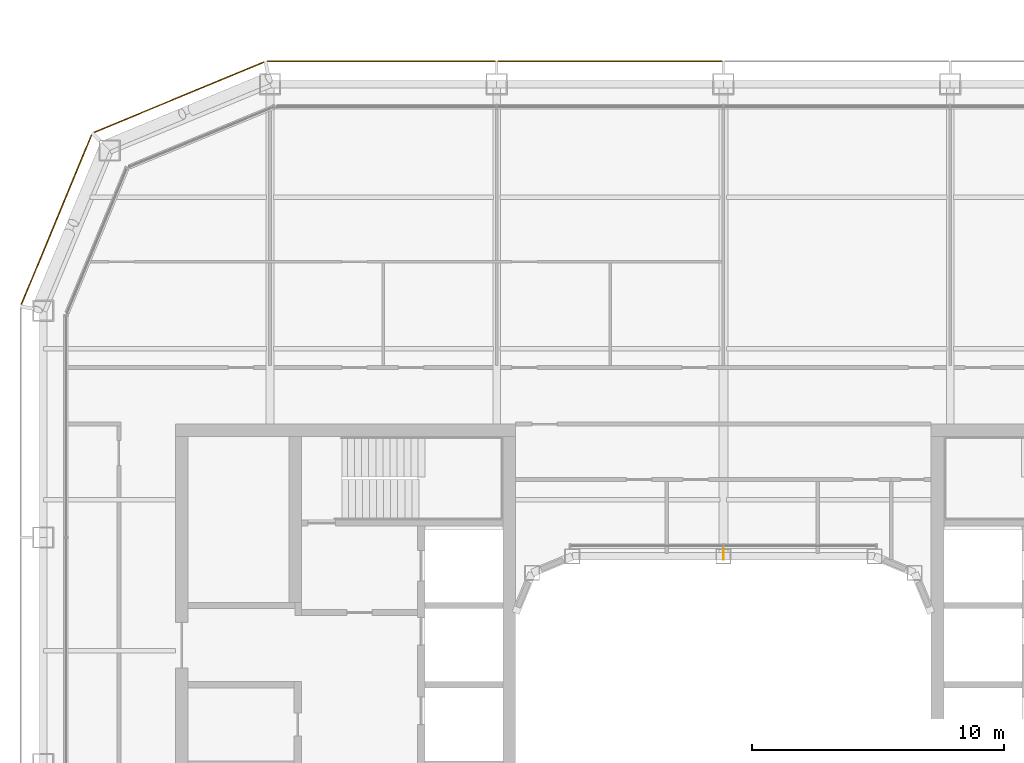
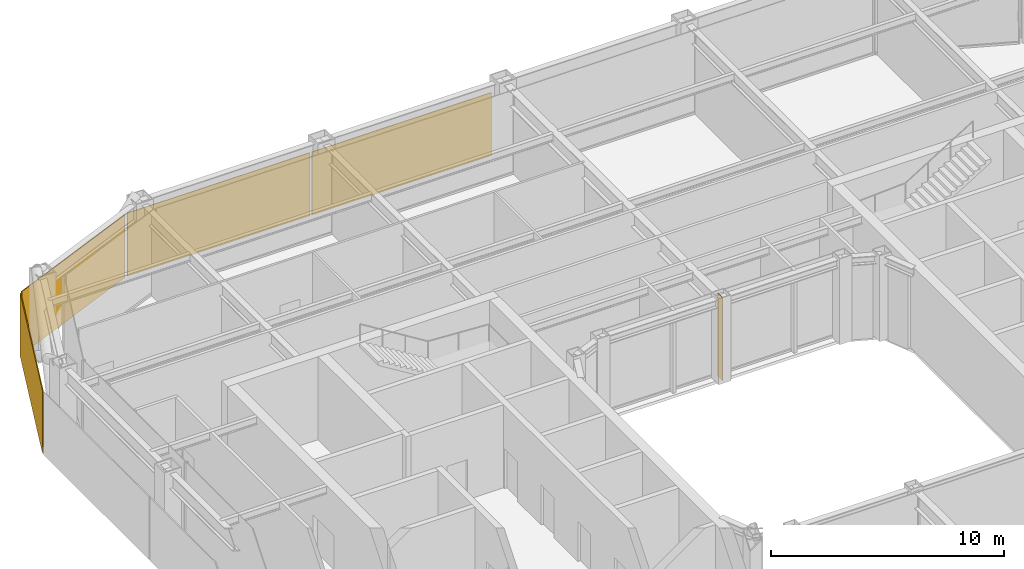
# One storey, part 21 of 23: 4 coverings, 1 shading device.
"""IFC4 building model written with IfcOpenShell, lengths in metres."""

import ifcopenshell
import ifcopenshell.guid

model = None  # the IFC model being written
_history = None  # IfcOwnerHistory: only IFC2X3 demands one
_inside = {}  # id of a spatial element -> (the spatial element, [elements in it])
_under = {}  # id of a project, library or spatial element -> (it, [spatial elements below it])
_declared = {}  # id of a project -> (the project, [libraries it declares])
_typed = {}  # id of a type object -> (the type object, [elements of that type])
_made_of = {}  # id of a material, layer set ... -> (it, [elements and type objects made of it])


def new_model(schema):
    """Start an empty IFC model of exactly this schema.

    Asked for "IFC4X3", IfcOpenShell would pick the latest addendum, in which some entities
    have other attributes; the version numbers below select the first issue.
    IFC2X3 requires an IfcOwnerHistory on every rooted entity: one is made here for all.
    """
    global model, _history
    if schema == "IFC4X3":
        model = ifcopenshell.file(schema_version=(4, 3, 0, 0))
    else:
        model = ifcopenshell.file(schema=schema)
    _inside.clear()
    _under.clear()
    _declared.clear()
    _typed.clear()
    _made_of.clear()
    _history = None
    if model.schema == "IFC2X3":
        org = make("IfcOrganization", Name="unknown")
        user = make(
            "IfcPersonAndOrganization",
            ThePerson=make("IfcPerson", FamilyName="unknown"),
            TheOrganization=org,
        )
        app = make(
            "IfcApplication",
            ApplicationDeveloper=org,
            Version="unknown",
            ApplicationFullName="unknown",
            ApplicationIdentifier="unknown",
        )
        _history = make(
            "IfcOwnerHistory",
            OwningUser=user,
            OwningApplication=app,
            ChangeAction="ADDED",
            CreationDate=0,
        )
    return model


def make(cls, **values):
    """One entity of the class cls with the attributes given. An attribute that is None is left unset."""
    return model.create_entity(
        cls, **{name: value for name, value in values.items() if value is not None}
    )


def rooted(cls, **values):
    """An entity with a GlobalId (a new one), such as an element, a storey or a relation."""
    return make(cls, GlobalId=ifcopenshell.guid.new(), OwnerHistory=_history, **values)


def si_unit(unit_type, name, prefix=None):
    """IfcSIUnit, for example si_unit("LENGTHUNIT", "METRE", prefix="MILLI")."""
    return make("IfcSIUnit", UnitType=unit_type, Prefix=prefix, Name=name)


def assignment(units):
    """IfcUnitAssignment: the units of a project."""
    return None if units is None else make("IfcUnitAssignment", Units=units)


def point(xyz):
    """IfcCartesianPoint."""
    return None if xyz is None else make("IfcCartesianPoint", Coordinates=xyz)


def direction(xyz):
    """IfcDirection."""
    return None if xyz is None else make("IfcDirection", DirectionRatios=xyz)


def frame(location, z_axis=None, x_axis=None):
    """IfcAxis2Placement3D, a coordinate frame: its origin and axes. An axis left out is left unset."""
    return make(
        "IfcAxis2Placement3D",
        Location=point(location),
        Axis=direction(z_axis),
        RefDirection=direction(x_axis),
    )


def frame_2d(location, x_axis=None):
    """IfcAxis2Placement2D, a coordinate frame in the plane: its origin and x axis."""
    return make(
        "IfcAxis2Placement2D", Location=point(location), RefDirection=direction(x_axis)
    )


def origin():
    """The frame at (0, 0, 0) with its axes left unset."""
    return frame((0.0, 0.0, 0.0))


def origin_2d():
    """The frame at (0, 0) in the plane with its x axis left unset."""
    return frame_2d((0.0, 0.0))


def place(relative_to, where):
    """IfcLocalPlacement: puts the frame where relative to a parent placement (None: the world)."""
    return make(
        "IfcLocalPlacement", PlacementRelTo=relative_to, RelativePlacement=where
    )


def context(
    kind, dimensions, precision=None, world=None, true_north=None, identifier=None
):
    """IfcGeometricRepresentationContext, for example the 3D "Model" context."""
    return make(
        "IfcGeometricRepresentationContext",
        ContextIdentifier=identifier,
        ContextType=kind,
        CoordinateSpaceDimension=dimensions,
        Precision=precision,
        WorldCoordinateSystem=world,
        TrueNorth=true_north,
    )


def subcontext(parent, identifier, kind, view, scale=None):
    """IfcGeometricRepresentationSubContext, for example "Body" below "Model"."""
    return make(
        "IfcGeometricRepresentationSubContext",
        ContextIdentifier=identifier,
        ContextType=kind,
        ParentContext=parent,
        TargetScale=scale,
        TargetView=view,
    )


def project(units=None, contexts=None):
    """IfcProject with its units and contexts."""
    return rooted(
        "IfcProject",
        Name="project",
        RepresentationContexts=contexts,
        UnitsInContext=assignment(units),
    )


def spatial(cls, under=None, at=None, **own):
    """A site, building, storey or space (cls), placed at a placement, below another one or the project."""
    s = rooted(cls, ObjectPlacement=at, **own)
    if under is not None:
        _under.setdefault(under.id(), (under, []))[1].append(s)
    return s


def profile(cls, at=None, kind="AREA", **sizes):
    """A parametric profile (cls). Its sizes go by their IFC names, for example OverallWidth=200.0."""
    return make(cls, ProfileType=kind, Position=at, **sizes)


def rectangle(**sizes):
    """IfcRectangleProfileDef."""
    return profile("IfcRectangleProfileDef", **sizes)


def extrude(swept, where, along, depth):
    """IfcExtrudedAreaSolid: the profile swept, set in the frame where, extruded along a direction by depth."""
    return make(
        "IfcExtrudedAreaSolid",
        SweptArea=swept,
        Position=where,
        ExtrudedDirection=direction(along),
        Depth=depth,
    )


def shape(context_of_items, identifier, shape_type, items):
    """IfcShapeRepresentation: the items that make up one representation, for example the "Body"."""
    return make(
        "IfcShapeRepresentation",
        ContextOfItems=context_of_items,
        RepresentationIdentifier=identifier,
        RepresentationType=shape_type,
        Items=items,
    )


def material(Name=None, Category=None):
    """IfcMaterial."""
    return make("IfcMaterial", Name=Name, Category=Category)


def layer(
    of_material, thickness, ventilated=None, Name=None, Category=None, Priority=None
):
    """IfcMaterialLayer: one layer of a wall or slab, of a material (None: an air gap)."""
    return make(
        "IfcMaterialLayer",
        Material=of_material,
        LayerThickness=thickness,
        IsVentilated=ventilated,
        Name=Name,
        Category=Category,
        Priority=Priority,
    )


def layer_set(layers, Name=None):
    """IfcMaterialLayerSet."""
    return make("IfcMaterialLayerSet", MaterialLayers=layers, LayerSetName=Name)


def made_of(thing, what):
    """Note that an element or type object is made of a material, layer set ...; save() writes the relation."""
    if what is not None:
        _made_of.setdefault(what.id(), (what, []))[1].append(thing)
    return thing


def type_object(cls, material=None, **own):
    """A type object (cls), such as IfcWallType, which elements share."""
    return made_of(rooted(cls, **own), material)


def element(
    cls,
    number,
    at=None,
    inside=None,
    cuts=None,
    type_object=None,
    material=None,
    context=None,
    identifier="Body",
    shape_type=None,
    held_by="IfcProductDefinitionShape",
    body=None,
    shapes=None,
    **own,
):
    """One element of the class cls, such as IfcWall. Its Tag is "e" and its number.

    at: its placement. inside: the storey or other place that contains it. cuts: it is an
    opening in that element (IfcRelVoidsElement). A single representation is given by context,
    identifier, shape_type and body (its items); several are given by shapes. held_by: the class
    of the entity that holds the representations. save() writes the other relations.
    """
    e = rooted(cls, Tag="e%d" % number, ObjectPlacement=at, **own)
    if body is not None:
        shapes = [shape(context, identifier, shape_type, body)]
    if shapes is not None:
        e.Representation = make(held_by, Representations=shapes)
    if inside is not None:
        _inside.setdefault(inside.id(), (inside, []))[1].append(e)
    if cuts is not None:
        rooted(
            "IfcRelVoidsElement", RelatingBuildingElement=cuts, RelatedOpeningElement=e
        )
    if type_object is not None:
        _typed.setdefault(type_object.id(), (type_object, []))[1].append(e)
    return made_of(e, material)


def aggregate(whole, parts):
    """IfcRelAggregates: a whole, such as a stair, and the parts it consists of."""
    return rooted("IfcRelAggregates", RelatingObject=whole, RelatedObjects=parts)


def save(model, path):
    """Write the relations noted so far, then the file.

    IfcRelAggregates (storeys below a building ...), IfcRelContainedInSpatialStructure (elements
    in a storey), IfcRelDefinesByType, IfcRelAssociatesMaterial and IfcRelDeclares: one each for
    every whole, place, type object, material and project.
    """
    for whole, parts in _under.values():
        aggregate(whole, parts)
    for where, things in _inside.values():
        rooted(
            "IfcRelContainedInSpatialStructure",
            RelatedElements=things,
            RelatingStructure=where,
        )
    for kind, things in _typed.values():
        rooted("IfcRelDefinesByType", RelatedObjects=things, RelatingType=kind)
    for what, things in _made_of.values():
        rooted("IfcRelAssociatesMaterial", RelatedObjects=things, RelatingMaterial=what)
    for by, libraries in _declared.values():
        rooted("IfcRelDeclares", RelatingContext=by, RelatedDefinitions=libraries)
    model.write(path)


model = new_model("IFC4")

# Units and contexts
model_context = context("Model", 3, precision=1e-05, world=origin(), true_north=direction((0.0, 1.0)))
body_context = subcontext(model_context, "Body", "Model", "MODEL_VIEW")
ifc_project = project(units=[si_unit("LENGTHUNIT", "METRE"), si_unit("AREAUNIT", "SQUARE_METRE"), si_unit("VOLUMEUNIT", "CUBIC_METRE"), si_unit("PLANEANGLEUNIT", "RADIAN"), si_unit("MASSUNIT", "GRAM", prefix="KILO")], contexts=[model_context])

# Site, building, storey
site_placement = place(None, origin())
site = spatial("IfcSite", under=ifc_project, at=site_placement, CompositionType="ELEMENT")
building_placement = place(site_placement, origin())
building = spatial("IfcBuilding", under=site, at=building_placement, Name="Siwar Civic Tower", CompositionType="ELEMENT")
storey_placement = place(building_placement, frame((0.0, 0.0, 224.199951171875)))
storey = spatial("IfcBuildingStorey", under=building, at=storey_placement, Name="L48", CompositionType="ELEMENT", Elevation=224.199951171875)

# Shading device
ifc_material_1 = material(Name="Aluminium 6063-T6", Category="aluminium")
ifc_layer_1 = layer(ifc_material_1, 0.02001953125)
ifc_layer_set_1 = layer_set([ifc_layer_1], Name="Aluminium 6063-T6")
shading_device_type = type_object("IfcShadingDeviceType", Name="ENV-FIN", PredefinedType="JALOUSIE", material=ifc_layer_set_1)
shading_device_placement = place(storey_placement, frame((0.0, 8.344970703125, 0.0), z_axis=(0.0, 0.0, 1.0), x_axis=(-1.0, 0.0, 0.0)))
element("IfcShadingDevice", 1, at=shading_device_placement, inside=storey, type_object=shading_device_type, Name="SUNSHADE fin WN 1", PredefinedType="JALOUSIE", context=body_context, shape_type="SweptSolid", body=[
    extrude(rectangle(XDim=0.02001953125, YDim=0.449951171875, at=origin_2d()), origin(), (0.0, 0.0, 1.0), 4.35009765625),
])

# Coverings
ifc_material_2 = material(Name="Perforated aluminium cassette, pale metal", Category="aluminium")
ifc_layer_2 = layer(ifc_material_2, 0.0400390625)
ifc_layer_set_2 = layer_set([ifc_layer_2], Name="Perforated aluminium cassette, pale metal")
covering_type_1 = type_object("IfcCoveringType", Name="ENV-OUTER SKIN OS-1", PredefinedType="CLADDING", material=ifc_layer_set_2)
covering_1_placement = place(storey_placement, frame((-4.5, 27.89990234375, -0.14990234375), z_axis=(0.0, 0.0, 1.0), x_axis=(-1.0, 0.0, 0.0)))
element("IfcCovering", 2, at=covering_1_placement, inside=storey, type_object=covering_type_1, Name="OUTER SKIN OS-1 N 3", PredefinedType="CLADDING", context=body_context, shape_type="SweptSolid", body=[
    extrude(rectangle(XDim=8.89990234375, YDim=0.0400390625, at=origin_2d()), origin(), (0.0, 0.0, 1.0), 3.300048828125),
])
covering_2_placement = place(storey_placement, frame((-13.57958984375, 27.89990234375, -0.14990234375), z_axis=(0.0, 0.0, 1.0), x_axis=(-1.0, 0.0, 0.0)))
element("IfcCovering", 3, at=covering_2_placement, inside=storey, type_object=covering_type_1, Name="OUTER SKIN OS-1 N 4", PredefinedType="CLADDING", context=body_context, shape_type="SweptSolid", body=[
    extrude(rectangle(XDim=9.05908203125, YDim=0.0400390625, at=origin_2d()), origin(), (0.0, 0.0, 1.0), 3.300048828125),
])
covering_3_placement = place(storey_placement, frame((-21.615966796875, 26.476318359375, -0.14990234375), z_axis=(0.0, 0.0, 1.0), x_axis=(-0.923879532511, -0.382683432365, 0.0)))
element("IfcCovering", 4, at=covering_3_placement, inside=storey, type_object=covering_type_1, Name="OUTER SKIN OS-1 NW1 1", PredefinedType="CLADDING", context=body_context, shape_type="SweptSolid", body=[
    extrude(rectangle(XDim=7.300048828125, YDim=0.0400390625, at=origin_2d()), origin(), (0.0, 0.0, 1.0), 3.300048828125),
])
ifc_material_3 = material(Name="Perforated aluminium cassette, pale metal", Category="aluminium")
ifc_layer_3 = layer(ifc_material_3, 0.044921875)
ifc_layer_set_3 = layer_set([ifc_layer_3], Name="Perforated aluminium cassette, pale metal")
covering_type_2 = type_object("IfcCoveringType", Name="ENV-OUTER SKIN OS-2", PredefinedType="CLADDING", material=ifc_layer_set_3)
covering_4_placement = place(storey_placement, frame((-26.476318359375, 21.615966796875, -0.14990234375), z_axis=(0.0, 0.0, 1.0), x_axis=(-0.382683432365, -0.923879532511, 0.0)))
element("IfcCovering", 5, at=covering_4_placement, inside=storey, type_object=covering_type_2, Name="OUTER SKIN OS-2 NW2 1", PredefinedType="CLADDING", context=body_context, shape_type="SweptSolid", body=[
    extrude(rectangle(XDim=7.300048828125, YDim=0.044921875, at=origin_2d()), origin(), (0.0, 0.0, 1.0), 3.300048828125),
])

save(model, "model.ifc")
